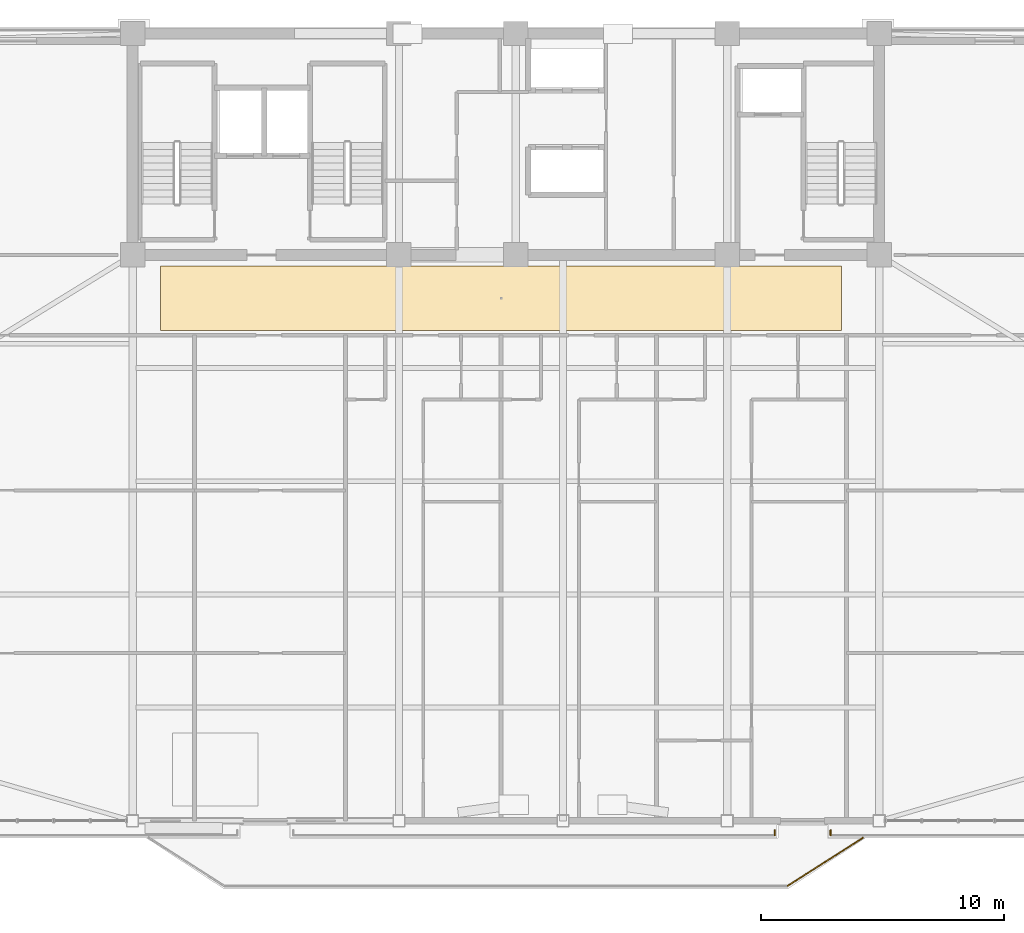
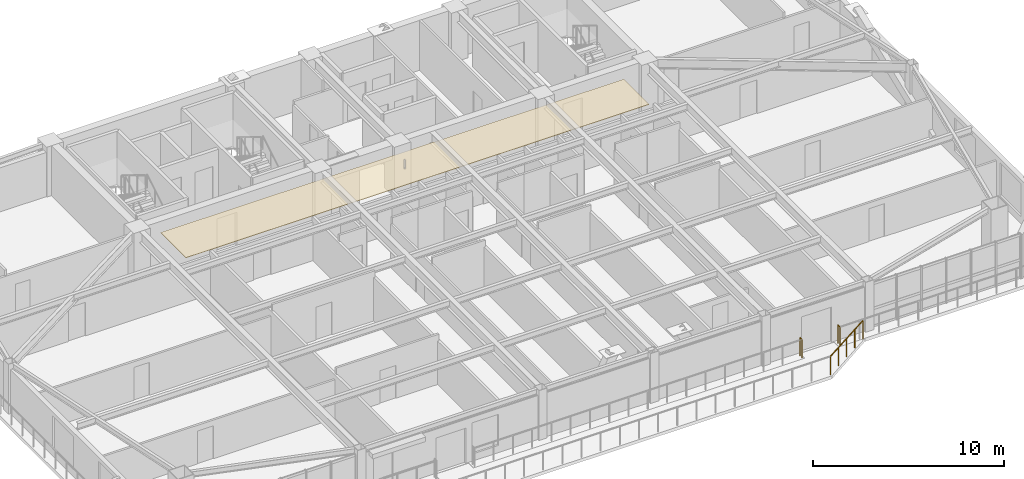
# One storey, part 16 of 19: 3 railings, 1 covering.
"""IFC4 building model written with IfcOpenShell, lengths in metres."""

from ifc_helpers import new_model, si_unit, direction, frame, origin, origin_2d, place, context, subcontext, project, spatial, polyline, rectangle, outline, extrude, material, layer, layer_set, type_object, element, save


model = new_model("IFC4")

# Units and contexts
model_context = context("Model", 3, precision=1e-05, world=origin(), true_north=direction((0.0, 1.0)))
body_context = subcontext(model_context, "Body", "Model", "MODEL_VIEW")
ifc_project = project(units=[si_unit("LENGTHUNIT", "METRE"), si_unit("AREAUNIT", "SQUARE_METRE"), si_unit("VOLUMEUNIT", "CUBIC_METRE"), si_unit("PLANEANGLEUNIT", "RADIAN"), si_unit("MASSUNIT", "GRAM", prefix="KILO")], contexts=[model_context])

# Site, building, storey
site_placement = place(None, origin())
site = spatial("IfcSite", under=ifc_project, at=site_placement, CompositionType="ELEMENT")
building_placement = place(site_placement, origin())
building = spatial("IfcBuilding", under=site, at=building_placement, Name="Giltprow Tower", CompositionType="ELEMENT")
storey_placement = place(building_placement, frame((0.0, 0.0, 241.699951171875)))
storey = spatial("IfcBuildingStorey", under=building, at=storey_placement, Name="L61", CompositionType="ELEMENT", Elevation=241.699951171875)

# Covering
ifc_material_1 = material(Name="Painted gypsum board", Category="gypsum")
ifc_layer = layer(ifc_material_1, 0.030029296875, Name="Painted gypsum board")
ifc_layer_set = layer_set([ifc_layer], Name="Painted gypsum board")
covering_type = type_object("IfcCoveringType", Name="COV-CLG-GYPSUM", PredefinedType="CEILING", material=ifc_layer_set)
covering_placement = place(storey_placement, frame((0.0, 0.0, 2.6201171875)))
element("IfcCovering", 1, at=covering_placement, inside=storey, type_object=covering_type, Name="L61 Residence Gallery Ceiling", PredefinedType="CEILING", context=body_context, shape_type="SweptSolid", body=[
    extrude(outline(polyline([(21.0, 34.35009765625), (49.0, 34.35009765625), (49.0, 37.0), (21.0, 37.0), (21.0, 34.35009765625)])), origin(), (0.0, 0.0, 1.0), 0.030029296875),
])

# Railings
ifc_material_2 = material(Name="Anodized bronze", Category="metal")
railing_type = type_object("IfcRailingType", Name="RAIL-BALC-GUARD-1200", PredefinedType="BALUSTRADE", material=ifc_material_2)
railing_1_placement = place(storey_placement, frame((46.780029296875, 11.501953125, 0.0)))
element("IfcRailing", 2, at=railing_1_placement, inside=storey, type_object=railing_type, Name="L61 Waterfront Balcony Balustrade Seg 3", PredefinedType="BALUSTRADE", context=body_context, shape_type="SweptSolid", body=[
    extrude(rectangle(XDim=0.048095703125, YDim=0.048095703125, at=origin_2d()), frame((0.0, 0.0, 1.17578125), z_axis=(0.842755646126, 0.538296313309, 0.0), x_axis=(-0.538296313309, 0.842755646126, 0.0)), (0.0, 0.0, 1.0), 3.67822265625),
    extrude(rectangle(XDim=0.0419921875, YDim=0.0419921875, at=origin_2d()), origin(), (0.0, 0.0, 1.0), 1.15185546875),
    extrude(rectangle(XDim=0.0419921875, YDim=0.0419921875, at=origin_2d()), frame((0.77490234375, 0.4951171875, 0.0)), (0.0, 0.0, 1.0), 1.15185546875),
    extrude(rectangle(XDim=0.0419921875, YDim=0.0419921875, at=origin_2d()), frame((1.5498046875, 0.989990234375, 0.0)), (0.0, 0.0, 1.0), 1.15185546875),
    extrude(rectangle(XDim=0.0419921875, YDim=0.0419921875, at=origin_2d()), frame((2.324951171875, 1.48486328125, 0.0)), (0.0, 0.0, 1.0), 1.15185546875),
    extrude(rectangle(XDim=0.0419921875, YDim=0.0419921875, at=origin_2d()), frame((3.099853515625, 1.97998046875, 0.0)), (0.0, 0.0, 1.0), 1.15185546875),
])
railing_2_placement = place(storey_placement, frame((48.550048828125, 13.58203125, 0.0)))
element("IfcRailing", 3, at=railing_2_placement, inside=storey, type_object=railing_type, Name="L61 Corner Apron Edge Balustrade 7", PredefinedType="BALUSTRADE", context=body_context, shape_type="SweptSolid", body=[
    extrude(rectangle(XDim=0.048095703125, YDim=0.048095703125, at=origin_2d()), frame((0.0, 0.0, 1.17578125), z_axis=(0.0, 1.0, 0.0), x_axis=(-1.0, 0.0, 0.0)), (0.0, 0.0, 1.0), 0.199951171875),
    extrude(rectangle(XDim=0.0419921875, YDim=0.0419921875, at=origin_2d()), origin(), (0.0, 0.0, 1.0), 1.15185546875),
    extrude(rectangle(XDim=0.0419921875, YDim=0.0419921875, at=origin_2d()), frame((0.0, 0.199951171875, 0.0)), (0.0, 0.0, 1.0), 1.15185546875),
])
railing_3_placement = place(storey_placement, frame((46.25, 13.781982421875, 0.0)))
element("IfcRailing", 4, at=railing_3_placement, inside=storey, type_object=railing_type, Name="L61 Corner Apron Edge Balustrade 8", PredefinedType="BALUSTRADE", context=body_context, shape_type="SweptSolid", body=[
    extrude(rectangle(XDim=0.048095703125, YDim=0.048095703125, at=origin_2d()), frame((0.0, 0.0, 1.17578125), z_axis=(0.0, -1.0, 0.0), x_axis=(1.0, 0.0, 0.0)), (0.0, 0.0, 1.0), 0.199951171875),
    extrude(rectangle(XDim=0.0419921875, YDim=0.0419921875, at=origin_2d()), origin(), (0.0, 0.0, 1.0), 1.15185546875),
    extrude(rectangle(XDim=0.0419921875, YDim=0.0419921875, at=origin_2d()), frame((0.0, -0.199951171875, 0.0)), (0.0, 0.0, 1.0), 1.15185546875),
])

save(model, "model.ifc")
